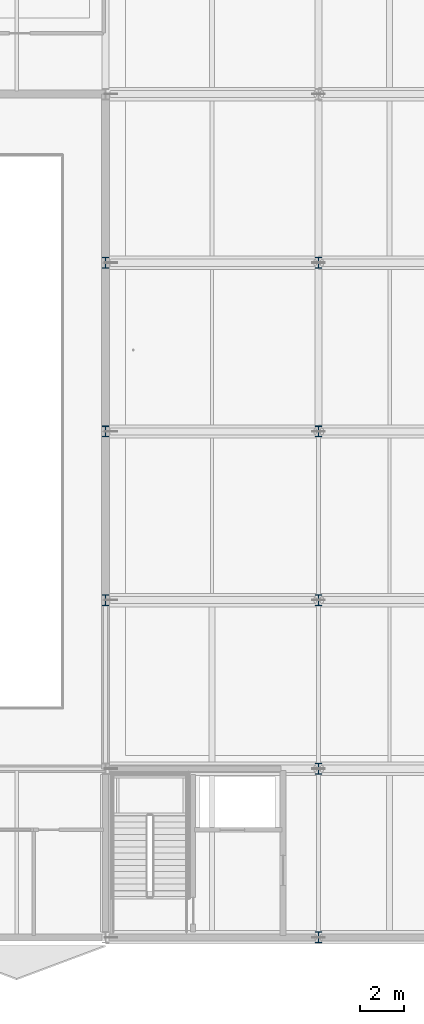
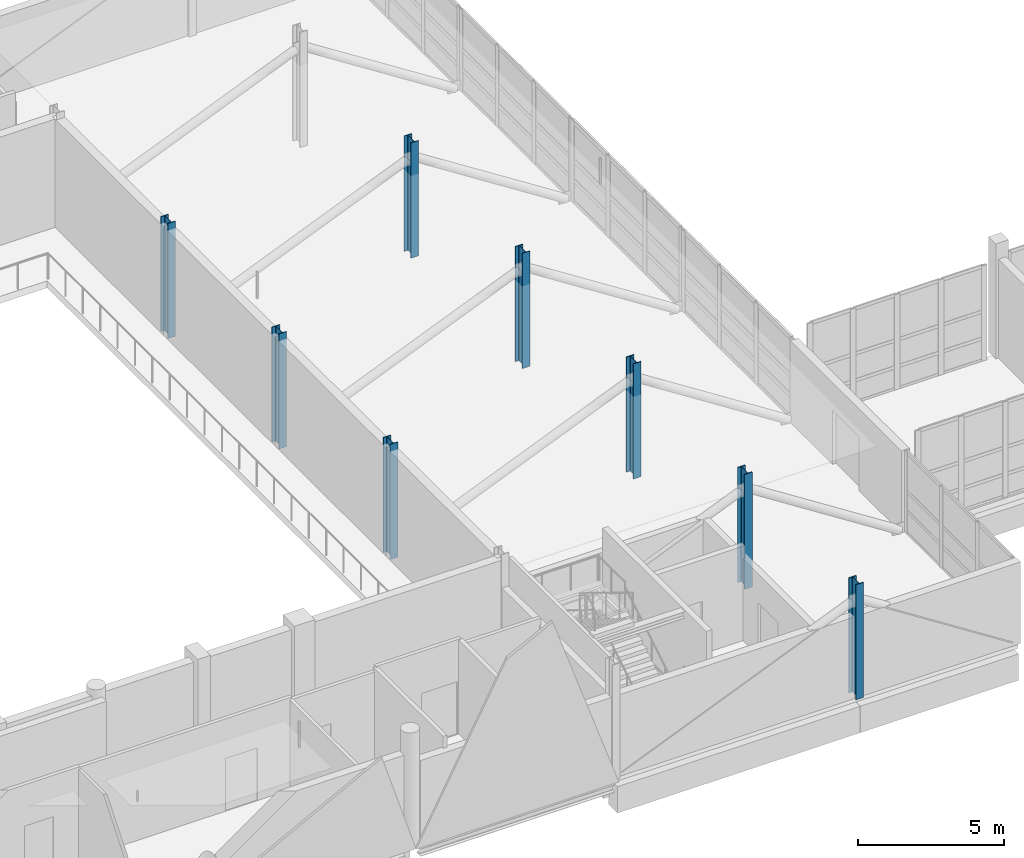
# One storey, part 2 of 141: 8 columns.
"""IFC4 building model written with IfcOpenShell, lengths in metres."""

import ifcopenshell
import ifcopenshell.guid

model = None  # the IFC model being written
_history = None  # IfcOwnerHistory: only IFC2X3 demands one
_inside = {}  # id of a spatial element -> (the spatial element, [elements in it])
_under = {}  # id of a project, library or spatial element -> (it, [spatial elements below it])
_declared = {}  # id of a project -> (the project, [libraries it declares])
_typed = {}  # id of a type object -> (the type object, [elements of that type])
_made_of = {}  # id of a material, layer set ... -> (it, [elements and type objects made of it])


def new_model(schema):
    """Start an empty IFC model of exactly this schema.

    Asked for "IFC4X3", IfcOpenShell would pick the latest addendum, in which some entities
    have other attributes; the version numbers below select the first issue.
    IFC2X3 requires an IfcOwnerHistory on every rooted entity: one is made here for all.
    """
    global model, _history
    if schema == "IFC4X3":
        model = ifcopenshell.file(schema_version=(4, 3, 0, 0))
    else:
        model = ifcopenshell.file(schema=schema)
    _inside.clear()
    _under.clear()
    _declared.clear()
    _typed.clear()
    _made_of.clear()
    _history = None
    if model.schema == "IFC2X3":
        org = make("IfcOrganization", Name="unknown")
        user = make(
            "IfcPersonAndOrganization",
            ThePerson=make("IfcPerson", FamilyName="unknown"),
            TheOrganization=org,
        )
        app = make(
            "IfcApplication",
            ApplicationDeveloper=org,
            Version="unknown",
            ApplicationFullName="unknown",
            ApplicationIdentifier="unknown",
        )
        _history = make(
            "IfcOwnerHistory",
            OwningUser=user,
            OwningApplication=app,
            ChangeAction="ADDED",
            CreationDate=0,
        )
    return model


def make(cls, **values):
    """One entity of the class cls with the attributes given. An attribute that is None is left unset."""
    return model.create_entity(
        cls, **{name: value for name, value in values.items() if value is not None}
    )


def rooted(cls, **values):
    """An entity with a GlobalId (a new one), such as an element, a storey or a relation."""
    return make(cls, GlobalId=ifcopenshell.guid.new(), OwnerHistory=_history, **values)


def si_unit(unit_type, name, prefix=None):
    """IfcSIUnit, for example si_unit("LENGTHUNIT", "METRE", prefix="MILLI")."""
    return make("IfcSIUnit", UnitType=unit_type, Prefix=prefix, Name=name)


def assignment(units):
    """IfcUnitAssignment: the units of a project."""
    return None if units is None else make("IfcUnitAssignment", Units=units)


def point(xyz):
    """IfcCartesianPoint."""
    return None if xyz is None else make("IfcCartesianPoint", Coordinates=xyz)


def direction(xyz):
    """IfcDirection."""
    return None if xyz is None else make("IfcDirection", DirectionRatios=xyz)


def frame(location, z_axis=None, x_axis=None):
    """IfcAxis2Placement3D, a coordinate frame: its origin and axes. An axis left out is left unset."""
    return make(
        "IfcAxis2Placement3D",
        Location=point(location),
        Axis=direction(z_axis),
        RefDirection=direction(x_axis),
    )


def frame_2d(location, x_axis=None):
    """IfcAxis2Placement2D, a coordinate frame in the plane: its origin and x axis."""
    return make(
        "IfcAxis2Placement2D", Location=point(location), RefDirection=direction(x_axis)
    )


def origin():
    """The frame at (0, 0, 0) with its axes left unset."""
    return frame((0.0, 0.0, 0.0))


def origin_2d():
    """The frame at (0, 0) in the plane with its x axis left unset."""
    return frame_2d((0.0, 0.0))


def place(relative_to, where):
    """IfcLocalPlacement: puts the frame where relative to a parent placement (None: the world)."""
    return make(
        "IfcLocalPlacement", PlacementRelTo=relative_to, RelativePlacement=where
    )


def context(
    kind, dimensions, precision=None, world=None, true_north=None, identifier=None
):
    """IfcGeometricRepresentationContext, for example the 3D "Model" context."""
    return make(
        "IfcGeometricRepresentationContext",
        ContextIdentifier=identifier,
        ContextType=kind,
        CoordinateSpaceDimension=dimensions,
        Precision=precision,
        WorldCoordinateSystem=world,
        TrueNorth=true_north,
    )


def subcontext(parent, identifier, kind, view, scale=None):
    """IfcGeometricRepresentationSubContext, for example "Body" below "Model"."""
    return make(
        "IfcGeometricRepresentationSubContext",
        ContextIdentifier=identifier,
        ContextType=kind,
        ParentContext=parent,
        TargetScale=scale,
        TargetView=view,
    )


def project(units=None, contexts=None):
    """IfcProject with its units and contexts."""
    return rooted(
        "IfcProject",
        Name="project",
        RepresentationContexts=contexts,
        UnitsInContext=assignment(units),
    )


def spatial(cls, under=None, at=None, **own):
    """A site, building, storey or space (cls), placed at a placement, below another one or the project."""
    s = rooted(cls, ObjectPlacement=at, **own)
    if under is not None:
        _under.setdefault(under.id(), (under, []))[1].append(s)
    return s


def profile(cls, at=None, kind="AREA", **sizes):
    """A parametric profile (cls). Its sizes go by their IFC names, for example OverallWidth=200.0."""
    return make(cls, ProfileType=kind, Position=at, **sizes)


def i_section(**sizes):
    """IfcIShapeProfileDef."""
    return profile("IfcIShapeProfileDef", **sizes)


def extrude(swept, where, along, depth):
    """IfcExtrudedAreaSolid: the profile swept, set in the frame where, extruded along a direction by depth."""
    return make(
        "IfcExtrudedAreaSolid",
        SweptArea=swept,
        Position=where,
        ExtrudedDirection=direction(along),
        Depth=depth,
    )


def shape(context_of_items, identifier, shape_type, items):
    """IfcShapeRepresentation: the items that make up one representation, for example the "Body"."""
    return make(
        "IfcShapeRepresentation",
        ContextOfItems=context_of_items,
        RepresentationIdentifier=identifier,
        RepresentationType=shape_type,
        Items=items,
    )


def material(Name=None, Category=None):
    """IfcMaterial."""
    return make("IfcMaterial", Name=Name, Category=Category)


def material_profile(
    of_material, cross_section, Name=None, Category=None, Priority=None
):
    """IfcMaterialProfile: a cross section and its material."""
    return make(
        "IfcMaterialProfile",
        Name=Name,
        Material=of_material,
        Profile=cross_section,
        Priority=Priority,
        Category=Category,
    )


def profile_set(profiles, Name=None, composite=None):
    """IfcMaterialProfileSet."""
    return make(
        "IfcMaterialProfileSet",
        Name=Name,
        MaterialProfiles=profiles,
        CompositeProfile=composite,
    )


def made_of(thing, what):
    """Note that an element or type object is made of a material, layer set ...; save() writes the relation."""
    if what is not None:
        _made_of.setdefault(what.id(), (what, []))[1].append(thing)
    return thing


def type_object(cls, material=None, **own):
    """A type object (cls), such as IfcWallType, which elements share."""
    return made_of(rooted(cls, **own), material)


def element(
    cls,
    number,
    at=None,
    inside=None,
    cuts=None,
    type_object=None,
    material=None,
    context=None,
    identifier="Body",
    shape_type=None,
    held_by="IfcProductDefinitionShape",
    body=None,
    shapes=None,
    **own,
):
    """One element of the class cls, such as IfcWall. Its Tag is "e" and its number.

    at: its placement. inside: the storey or other place that contains it. cuts: it is an
    opening in that element (IfcRelVoidsElement). A single representation is given by context,
    identifier, shape_type and body (its items); several are given by shapes. held_by: the class
    of the entity that holds the representations. save() writes the other relations.
    """
    e = rooted(cls, Tag="e%d" % number, ObjectPlacement=at, **own)
    if body is not None:
        shapes = [shape(context, identifier, shape_type, body)]
    if shapes is not None:
        e.Representation = make(held_by, Representations=shapes)
    if inside is not None:
        _inside.setdefault(inside.id(), (inside, []))[1].append(e)
    if cuts is not None:
        rooted(
            "IfcRelVoidsElement", RelatingBuildingElement=cuts, RelatedOpeningElement=e
        )
    if type_object is not None:
        _typed.setdefault(type_object.id(), (type_object, []))[1].append(e)
    return made_of(e, material)


def aggregate(whole, parts):
    """IfcRelAggregates: a whole, such as a stair, and the parts it consists of."""
    return rooted("IfcRelAggregates", RelatingObject=whole, RelatedObjects=parts)


def save(model, path):
    """Write the relations noted so far, then the file.

    IfcRelAggregates (storeys below a building ...), IfcRelContainedInSpatialStructure (elements
    in a storey), IfcRelDefinesByType, IfcRelAssociatesMaterial and IfcRelDeclares: one each for
    every whole, place, type object, material and project.
    """
    for whole, parts in _under.values():
        aggregate(whole, parts)
    for where, things in _inside.values():
        rooted(
            "IfcRelContainedInSpatialStructure",
            RelatedElements=things,
            RelatingStructure=where,
        )
    for kind, things in _typed.values():
        rooted("IfcRelDefinesByType", RelatedObjects=things, RelatingType=kind)
    for what, things in _made_of.values():
        rooted("IfcRelAssociatesMaterial", RelatedObjects=things, RelatingMaterial=what)
    for by, libraries in _declared.values():
        rooted("IfcRelDeclares", RelatingContext=by, RelatedDefinitions=libraries)
    model.write(path)


model = new_model("IFC4")

# Units and contexts
model_context = context("Model", 3, precision=1e-05, world=origin(), true_north=direction((0.0, 1.0)))
body_context = subcontext(model_context, "Body", "Model", "MODEL_VIEW")
ifc_project = project(units=[si_unit("LENGTHUNIT", "METRE"), si_unit("AREAUNIT", "SQUARE_METRE"), si_unit("VOLUMEUNIT", "CUBIC_METRE"), si_unit("PLANEANGLEUNIT", "RADIAN"), si_unit("MASSUNIT", "GRAM", prefix="KILO")], contexts=[model_context])

# Site, building, storey
site_placement = place(None, origin())
site = spatial("IfcSite", under=ifc_project, at=site_placement, CompositionType="ELEMENT")
building_placement = place(site_placement, origin())
building = spatial("IfcBuilding", under=site, at=building_placement, Name="Khelvaren Railside Concert Hall", CompositionType="ELEMENT")
storey_placement = place(building_placement, frame((0.0, 0.0, 10.199951171875)))
storey = spatial("IfcBuildingStorey", under=building, at=storey_placement, Name="L02", CompositionType="ELEMENT", Elevation=10.199951171875)

# Columns
ifc_material = material(Name="Steel S355", Category="steel")
ifc_material_profile_1 = material_profile(ifc_material, i_section(OverallWidth=0.300048828125, OverallDepth=0.5, WebThickness=0.014404296875, FlangeThickness=0.028076171875, FilletRadius=0.027099609375, at=origin_2d()), Name="HEB 500")
ifc_profile_set_1 = profile_set([ifc_material_profile_1], Name="Steel S355")
column_type_1 = type_object("IfcColumnType", Name="COL15", PredefinedType="COLUMN", material=ifc_profile_set_1)
column_placement = place(storey_placement, frame((49.60009765625, 0.0, 0.0), z_axis=(0.0, 0.0, 1.0), x_axis=(1.0, 0.0, 0.0)))
element("IfcColumn", 1, at=column_placement, inside=storey, type_object=column_type_1, Name="V1 L02 Column (49.6,0.0)", PredefinedType="COLUMN", context=body_context, shape_type="SweptSolid", body=[
    extrude(i_section(OverallWidth=0.300048828125, OverallDepth=0.5, WebThickness=0.014404296875, FlangeThickness=0.028076171875, FilletRadius=0.027099609375, at=origin_2d()), origin(), (0.0, 0.0, 1.0), 4.800048828125),
])
ifc_material_profile_2 = material_profile(ifc_material, i_section(OverallWidth=0.300048828125, OverallDepth=0.5, WebThickness=0.014404296875, FlangeThickness=0.028076171875, FilletRadius=0.027099609375, at=origin_2d()), Name="HEB 500")
ifc_profile_set_2 = profile_set([ifc_material_profile_2], Name="Steel S355")
column_type_2 = type_object("IfcColumnType", Name="COL25", PredefinedType="COLUMN", material=ifc_profile_set_2)
for number, where, z_axis, x_axis, name in (
    (2, (40.0, 15.199951171875, 0.0), (0.0, 0.0, 1.0), (1.0, 0.0, 0.0), "V1 L02 Column (40.0,15.2)"),
    (3, (40.0, 22.800048828125, 0.0), (0.0, 0.0, 1.0), (1.0, 0.0, 0.0), "V1 L02 Column (40.0,22.8)"),
    (4, (40.0, 30.39990234375, 0.0), (0.0, 0.0, 1.0), (1.0, 0.0, 0.0), "V1 L02 Column (40.0,30.4)"),
    (5, (49.60009765625, 7.60009765625, 0.0), (0.0, 0.0, 1.0), (1.0, 0.0, 0.0), "V1 L02 Column (49.6,7.6)"),
    (6, (49.60009765625, 15.199951171875, 0.0), (0.0, 0.0, 1.0), (1.0, 0.0, 0.0), "V1 L02 Column (49.6,15.2)"),
    (7, (49.60009765625, 22.800048828125, 0.0), (0.0, 0.0, 1.0), (1.0, 0.0, 0.0), "V1 L02 Column (49.6,22.8)"),
    (8, (49.60009765625, 30.39990234375, 0.0), (0.0, 0.0, 1.0), (1.0, 0.0, 0.0), "V1 L02 Column (49.6,30.4)"),
):
    element("IfcColumn", number, at=place(storey_placement, frame(where, z_axis=z_axis, x_axis=x_axis)), inside=storey, type_object=column_type_2, Name=name, PredefinedType="COLUMN", context=body_context, shape_type="SweptSolid", body=[
        extrude(i_section(OverallWidth=0.300048828125, OverallDepth=0.5, WebThickness=0.014404296875, FlangeThickness=0.028076171875, FilletRadius=0.027099609375, at=origin_2d()), origin(), (0.0, 0.0, 1.0), 4.800048828125),
    ])

save(model, "model.ifc")
